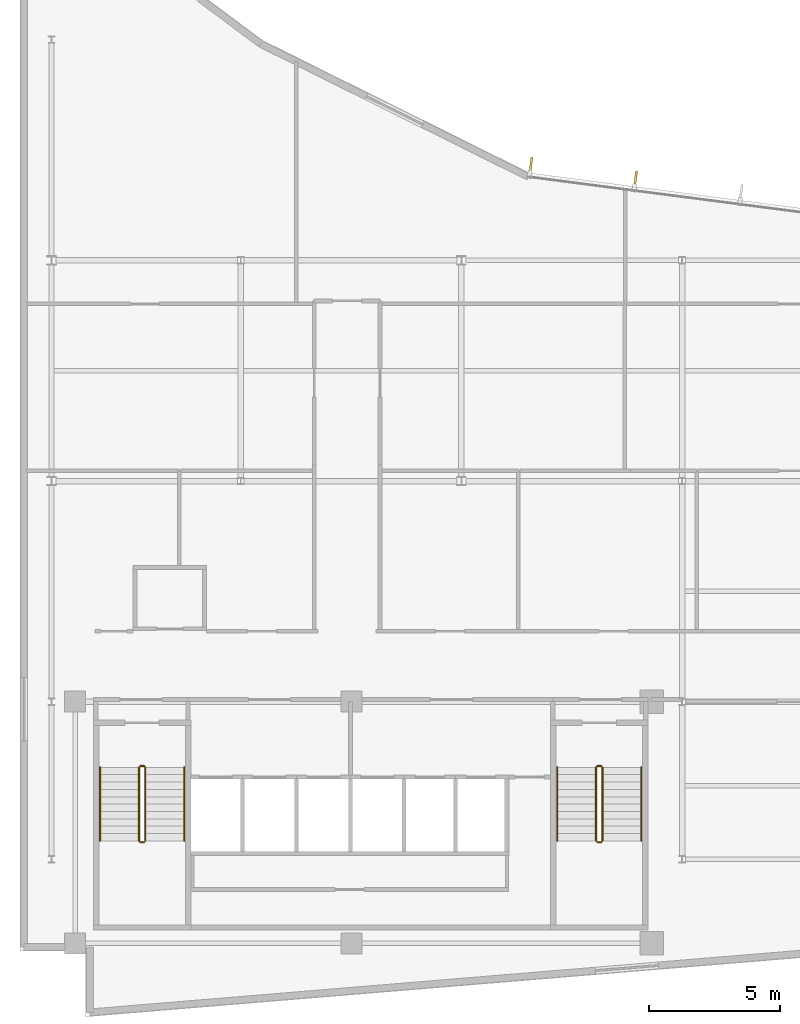
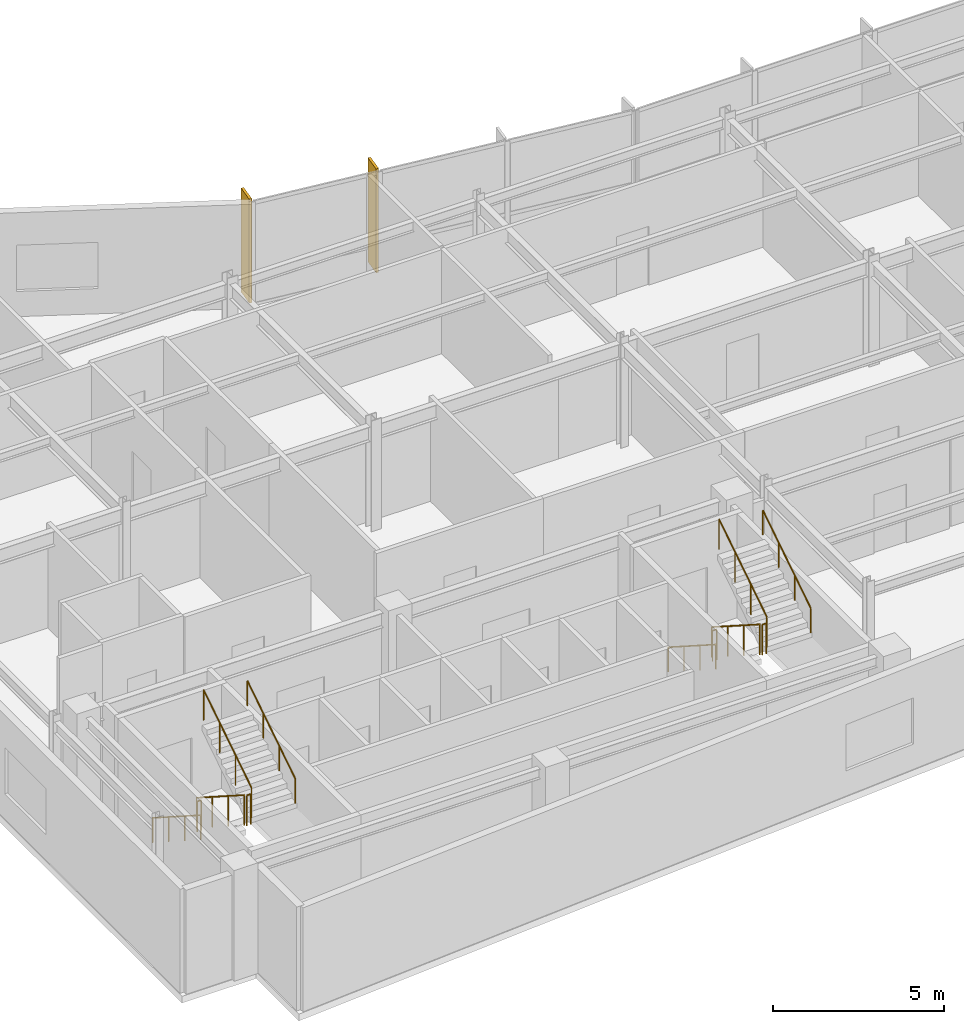
# One storey, part 13 of 15: 12 railings, 2 shading devices.
"""IFC4 building model written with IfcOpenShell, lengths in metres."""

from ifc_helpers import new_model, si_unit, direction, frame, origin, origin_2d, place, context, subcontext, project, spatial, rectangle, circle, extrude, material, layer, layer_set, type_object, element, save


model = new_model("IFC4")

# Units and contexts
model_context = context("Model", 3, precision=1e-05, world=origin(), true_north=direction((0.0, 1.0)))
body_context = subcontext(model_context, "Body", "Model", "MODEL_VIEW")
ifc_project = project(units=[si_unit("LENGTHUNIT", "METRE"), si_unit("AREAUNIT", "SQUARE_METRE"), si_unit("VOLUMEUNIT", "CUBIC_METRE"), si_unit("PLANEANGLEUNIT", "RADIAN"), si_unit("MASSUNIT", "GRAM", prefix="KILO")], contexts=[model_context])

# Site, building, storey
site_placement = place(None, origin())
site = spatial("IfcSite", under=ifc_project, at=site_placement, CompositionType="ELEMENT")
building_placement = place(site_placement, origin())
building = spatial("IfcBuilding", under=site, at=building_placement, Name="Varnakote Quay Hospital", CompositionType="ELEMENT")
storey_placement = place(building_placement, frame((0.0, 0.0, 248.64990234375)))
storey = spatial("IfcBuildingStorey", under=building, at=storey_placement, Name="L61", CompositionType="ELEMENT", Elevation=248.64990234375)

# Railings
ifc_material_1 = material(Name="Brushed stainless steel balustrade", Category="steel")
railing_type_1 = type_object("IfcRailingType", Name="RLG-STAIR-GUARD-1150", PredefinedType="GUARDRAIL", material=ifc_material_1)
railing_1_placement = place(storey_placement, frame((4.530029296875, 9.5, 0.1796875)))
element("IfcRailing", 1, at=railing_1_placement, inside=storey, type_object=railing_type_1, Name="L61 ST-01 stair guard 1", PredefinedType="GUARDRAIL", context=body_context, shape_type="SweptSolid", body=[
    extrude(circle(Radius=0.02392578125, at=origin_2d()), frame((0.0, 0.0, 1.076171875), z_axis=(0.0, -0.841809871826, 0.539774156196), x_axis=(1.0, 0.0, 0.0)), (0.0, 0.0, 1.0), 3.326171875),
    extrude(circle(Radius=0.02099609375, at=origin_2d()), origin(), (0.0, 0.0, 1.0), 1.052001953125),
    extrude(circle(Radius=0.02099609375, at=origin_2d()), frame((0.0, -0.933349609375, 0.598388671875)), (0.0, 0.0, 1.0), 1.052001953125),
    extrude(circle(Radius=0.02099609375, at=origin_2d()), frame((0.0, -1.86669921875, 1.197021484375)), (0.0, 0.0, 1.0), 1.052001953125),
    extrude(circle(Radius=0.02099609375, at=origin_2d()), frame((0.0, -2.800048828125, 1.79541015625)), (0.0, 0.0, 1.0), 1.052001953125),
])
railing_2_placement = place(storey_placement, frame((4.580078125, 6.64990234375, 1.97509765625)))
element("IfcRailing", 2, at=railing_2_placement, inside=storey, type_object=railing_type_1, Name="L61 ST-01 stair guard 2", PredefinedType="GUARDRAIL", context=body_context, shape_type="SweptSolid", body=[
    extrude(circle(Radius=0.02392578125, at=origin_2d()), frame((0.0, 0.0, 1.076171875), z_axis=(1.0, 0.0, 0.0), x_axis=(0.0, 1.0, 0.0)), (0.0, 0.0, 1.0), 0.139892578125),
    extrude(circle(Radius=0.02099609375, at=origin_2d()), origin(), (0.0, 0.0, 1.0), 1.052001953125),
    extrude(circle(Radius=0.02099609375, at=origin_2d()), frame((0.139892578125, 0.0, 0.0)), (0.0, 0.0, 1.0), 1.052001953125),
])
railing_3_placement = place(storey_placement, frame((4.77001953125, 6.699951171875, 2.154541015625)))
element("IfcRailing", 3, at=railing_3_placement, inside=storey, type_object=railing_type_1, Name="L61 ST-01 stair guard 3", PredefinedType="GUARDRAIL", context=body_context, shape_type="SweptSolid", body=[
    extrude(circle(Radius=0.02392578125, at=origin_2d()), frame((0.0, 0.0, 1.076171875), z_axis=(0.0, 0.841776520102, 0.539826166654), x_axis=(-1.0, 0.0, 0.0)), (0.0, 0.0, 1.0), 3.326416015625),
    extrude(circle(Radius=0.02099609375, at=origin_2d()), origin(), (0.0, 0.0, 1.0), 1.052001953125),
    extrude(circle(Radius=0.02099609375, at=origin_2d()), frame((0.0, 0.933349609375, 0.5986328125)), (0.0, 0.0, 1.0), 1.052001953125),
    extrude(circle(Radius=0.02099609375, at=origin_2d()), frame((0.0, 1.86669921875, 1.197021484375)), (0.0, 0.0, 1.0), 1.052001953125),
    extrude(circle(Radius=0.02099609375, at=origin_2d()), frame((0.0, 2.800048828125, 1.795654296875)), (0.0, 0.0, 1.0), 1.052001953125),
])
railing_4_placement = place(storey_placement, frame((4.580078125, 9.550048828125, 0.0)))
element("IfcRailing", 4, at=railing_4_placement, inside=storey, type_object=railing_type_1, Name="L61 ST-01 stair guard 4", PredefinedType="GUARDRAIL", context=body_context, shape_type="SweptSolid", body=[
    extrude(circle(Radius=0.02392578125, at=origin_2d()), frame((0.0, 0.0, 1.076171875), z_axis=(1.0, 0.0, 0.0), x_axis=(0.0, 1.0, 0.0)), (0.0, 0.0, 1.0), 0.139892578125),
    extrude(circle(Radius=0.02099609375, at=origin_2d()), origin(), (0.0, 0.0, 1.0), 1.052001953125),
    extrude(circle(Radius=0.02099609375, at=origin_2d()), frame((0.139892578125, 0.0, 0.0)), (0.0, 0.0, 1.0), 1.052001953125),
])
railing_5_placement = place(storey_placement, frame((21.929931640625, 9.5, 0.1796875)))
element("IfcRailing", 5, at=railing_5_placement, inside=storey, type_object=railing_type_1, Name="L61 ST-02 stair guard 1", PredefinedType="GUARDRAIL", context=body_context, shape_type="SweptSolid", body=[
    extrude(circle(Radius=0.02392578125, at=origin_2d()), frame((0.0, 0.0, 1.076171875), z_axis=(0.0, -0.841809871826, 0.539774156196), x_axis=(1.0, 0.0, 0.0)), (0.0, 0.0, 1.0), 3.326171875),
    extrude(circle(Radius=0.02099609375, at=origin_2d()), origin(), (0.0, 0.0, 1.0), 1.052001953125),
    extrude(circle(Radius=0.02099609375, at=origin_2d()), frame((0.0, -0.933349609375, 0.598388671875)), (0.0, 0.0, 1.0), 1.052001953125),
    extrude(circle(Radius=0.02099609375, at=origin_2d()), frame((0.0, -1.86669921875, 1.197021484375)), (0.0, 0.0, 1.0), 1.052001953125),
    extrude(circle(Radius=0.02099609375, at=origin_2d()), frame((0.0, -2.800048828125, 1.79541015625)), (0.0, 0.0, 1.0), 1.052001953125),
])
railing_6_placement = place(storey_placement, frame((21.97998046875, 6.64990234375, 1.97509765625)))
element("IfcRailing", 6, at=railing_6_placement, inside=storey, type_object=railing_type_1, Name="L61 ST-02 stair guard 2", PredefinedType="GUARDRAIL", context=body_context, shape_type="SweptSolid", body=[
    extrude(circle(Radius=0.02392578125, at=origin_2d()), frame((0.0, 0.0, 1.076171875), z_axis=(1.0, 0.0, 0.0), x_axis=(0.0, 1.0, 0.0)), (0.0, 0.0, 1.0), 0.14013671875),
    extrude(circle(Radius=0.02099609375, at=origin_2d()), origin(), (0.0, 0.0, 1.0), 1.052001953125),
    extrude(circle(Radius=0.02099609375, at=origin_2d()), frame((0.14013671875, 0.0, 0.0)), (0.0, 0.0, 1.0), 1.052001953125),
])
railing_7_placement = place(storey_placement, frame((22.169921875, 6.699951171875, 2.154541015625)))
element("IfcRailing", 7, at=railing_7_placement, inside=storey, type_object=railing_type_1, Name="L61 ST-02 stair guard 3", PredefinedType="GUARDRAIL", context=body_context, shape_type="SweptSolid", body=[
    extrude(circle(Radius=0.02392578125, at=origin_2d()), frame((0.0, 0.0, 1.076171875), z_axis=(0.0, 0.841776520102, 0.539826166654), x_axis=(-1.0, 0.0, 0.0)), (0.0, 0.0, 1.0), 3.326416015625),
    extrude(circle(Radius=0.02099609375, at=origin_2d()), origin(), (0.0, 0.0, 1.0), 1.052001953125),
    extrude(circle(Radius=0.02099609375, at=origin_2d()), frame((0.0, 0.933349609375, 0.5986328125)), (0.0, 0.0, 1.0), 1.052001953125),
    extrude(circle(Radius=0.02099609375, at=origin_2d()), frame((0.0, 1.86669921875, 1.197021484375)), (0.0, 0.0, 1.0), 1.052001953125),
    extrude(circle(Radius=0.02099609375, at=origin_2d()), frame((0.0, 2.800048828125, 1.795654296875)), (0.0, 0.0, 1.0), 1.052001953125),
])
railing_8_placement = place(storey_placement, frame((21.97998046875, 9.550048828125, 0.0)))
element("IfcRailing", 8, at=railing_8_placement, inside=storey, type_object=railing_type_1, Name="L61 ST-02 stair guard 4", PredefinedType="GUARDRAIL", context=body_context, shape_type="SweptSolid", body=[
    extrude(circle(Radius=0.02392578125, at=origin_2d()), frame((0.0, 0.0, 1.076171875), z_axis=(1.0, 0.0, 0.0), x_axis=(0.0, 1.0, 0.0)), (0.0, 0.0, 1.0), 0.14013671875),
    extrude(circle(Radius=0.02099609375, at=origin_2d()), origin(), (0.0, 0.0, 1.0), 1.052001953125),
    extrude(circle(Radius=0.02099609375, at=origin_2d()), frame((0.14013671875, 0.0, 0.0)), (0.0, 0.0, 1.0), 1.052001953125),
])
ifc_material_2 = material(Name="Brushed stainless steel handrail", Category="steel")
railing_type_2 = type_object("IfcRailingType", Name="RLG-STAIR-HND-920", PredefinedType="HANDRAIL", material=ifc_material_2)
railing_9_placement = place(storey_placement, frame((3.050048828125, 9.5, 0.1796875)))
element("IfcRailing", 9, at=railing_9_placement, inside=storey, type_object=railing_type_2, Name="L61 ST-01 stair handrail 1", PredefinedType="HANDRAIL", context=body_context, shape_type="SweptSolid", body=[
    extrude(circle(Radius=0.02392578125, at=origin_2d()), frame((0.0, 0.0, 0.8759765625), z_axis=(0.0, -0.841809871826, 0.539774156196), x_axis=(1.0, 0.0, 0.0)), (0.0, 0.0, 1.0), 3.326171875),
    extrude(circle(Radius=0.02099609375, at=origin_2d()), origin(), (0.0, 0.0, 1.0), 0.851806640625),
    extrude(circle(Radius=0.02099609375, at=origin_2d()), frame((0.0, -0.933349609375, 0.598388671875)), (0.0, 0.0, 1.0), 0.851806640625),
    extrude(circle(Radius=0.02099609375, at=origin_2d()), frame((0.0, -1.86669921875, 1.197021484375)), (0.0, 0.0, 1.0), 0.851806640625),
    extrude(circle(Radius=0.02099609375, at=origin_2d()), frame((0.0, -2.800048828125, 1.79541015625)), (0.0, 0.0, 1.0), 0.851806640625),
])
railing_10_placement = place(storey_placement, frame((6.25, 6.699951171875, 2.154541015625)))
element("IfcRailing", 10, at=railing_10_placement, inside=storey, type_object=railing_type_2, Name="L61 ST-01 stair handrail 2", PredefinedType="HANDRAIL", context=body_context, shape_type="SweptSolid", body=[
    extrude(circle(Radius=0.02392578125, at=origin_2d()), frame((0.0, 0.0, 0.8759765625), z_axis=(0.0, 0.841776520102, 0.539826166654), x_axis=(-1.0, 0.0, 0.0)), (0.0, 0.0, 1.0), 3.326416015625),
    extrude(circle(Radius=0.02099609375, at=origin_2d()), origin(), (0.0, 0.0, 1.0), 0.851806640625),
    extrude(circle(Radius=0.02099609375, at=origin_2d()), frame((0.0, 0.933349609375, 0.5986328125)), (0.0, 0.0, 1.0), 0.851806640625),
    extrude(circle(Radius=0.02099609375, at=origin_2d()), frame((0.0, 1.86669921875, 1.197021484375)), (0.0, 0.0, 1.0), 0.851806640625),
    extrude(circle(Radius=0.02099609375, at=origin_2d()), frame((0.0, 2.800048828125, 1.795654296875)), (0.0, 0.0, 1.0), 0.851806640625),
])
railing_11_placement = place(storey_placement, frame((20.449951171875, 9.5, 0.1796875)))
element("IfcRailing", 11, at=railing_11_placement, inside=storey, type_object=railing_type_2, Name="L61 ST-02 stair handrail 1", PredefinedType="HANDRAIL", context=body_context, shape_type="SweptSolid", body=[
    extrude(circle(Radius=0.02392578125, at=origin_2d()), frame((0.0, 0.0, 0.8759765625), z_axis=(0.0, -0.841809871826, 0.539774156196), x_axis=(1.0, 0.0, 0.0)), (0.0, 0.0, 1.0), 3.326171875),
    extrude(circle(Radius=0.02099609375, at=origin_2d()), origin(), (0.0, 0.0, 1.0), 0.851806640625),
    extrude(circle(Radius=0.02099609375, at=origin_2d()), frame((0.0, -0.933349609375, 0.598388671875)), (0.0, 0.0, 1.0), 0.851806640625),
    extrude(circle(Radius=0.02099609375, at=origin_2d()), frame((0.0, -1.86669921875, 1.197021484375)), (0.0, 0.0, 1.0), 0.851806640625),
    extrude(circle(Radius=0.02099609375, at=origin_2d()), frame((0.0, -2.800048828125, 1.79541015625)), (0.0, 0.0, 1.0), 0.851806640625),
])
railing_12_placement = place(storey_placement, frame((23.64990234375, 6.699951171875, 2.154541015625)))
element("IfcRailing", 12, at=railing_12_placement, inside=storey, type_object=railing_type_2, Name="L61 ST-02 stair handrail 2", PredefinedType="HANDRAIL", context=body_context, shape_type="SweptSolid", body=[
    extrude(circle(Radius=0.02392578125, at=origin_2d()), frame((0.0, 0.0, 0.8759765625), z_axis=(0.0, 0.841776520102, 0.539826166654), x_axis=(-1.0, 0.0, 0.0)), (0.0, 0.0, 1.0), 3.326416015625),
    extrude(circle(Radius=0.02099609375, at=origin_2d()), origin(), (0.0, 0.0, 1.0), 0.851806640625),
    extrude(circle(Radius=0.02099609375, at=origin_2d()), frame((0.0, 0.933349609375, 0.5986328125)), (0.0, 0.0, 1.0), 0.851806640625),
    extrude(circle(Radius=0.02099609375, at=origin_2d()), frame((0.0, 1.86669921875, 1.197021484375)), (0.0, 0.0, 1.0), 0.851806640625),
    extrude(circle(Radius=0.02099609375, at=origin_2d()), frame((0.0, 2.800048828125, 1.795654296875)), (0.0, 0.0, 1.0), 0.851806640625),
])

# Shading devices
ifc_material_3 = material(Name="Anodised aluminium 6063-T6 Bronze", Category="aluminium")
ifc_layer = layer(ifc_material_3, 0.0849609375)
ifc_layer_set = layer_set([ifc_layer], Name="Anodised aluminium 6063-T6 Bronze")
shading_device_type = type_object("IfcShadingDeviceType", Name="SHD-BRONZE-FIN-620", PredefinedType="USERDEFINED", material=ifc_layer_set)
for number, where, z_axis, x_axis, name in (
    (13, (23.43115234375, 31.8974609375, 0.0), (0.0, 0.0, 1.0), (-0.128795596578, -0.991671162383, 0.0), "L61 Anodised Bronze Vertical Shading FIN"),
    (14, (19.447021484375, 32.414794921875, 0.0), (0.0, 0.0, 1.0), (-0.128795596578, -0.991671162383, 0.0), "L61 Anodised Bronze Vertical Shading FIN"),
):
    element("IfcShadingDevice", number, at=place(storey_placement, frame(where, z_axis=z_axis, x_axis=x_axis)), inside=storey, type_object=shading_device_type, Name=name, ObjectType="FIN", PredefinedType="USERDEFINED", context=body_context, shape_type="SweptSolid", body=[
        extrude(rectangle(XDim=0.6201171875, YDim=0.0849609375, at=origin_2d()), origin(), (0.0, 0.0, 1.0), 3.7099609375),
    ])

save(model, "model.ifc")
